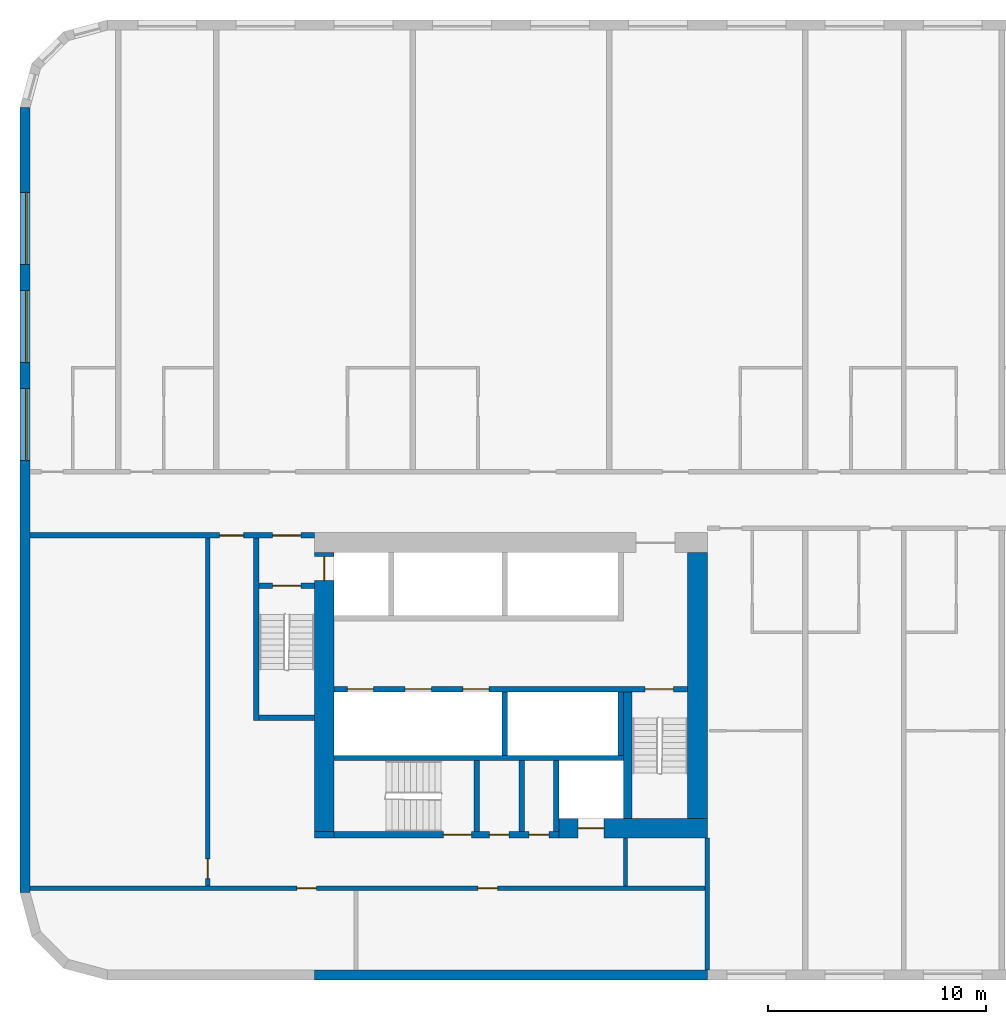
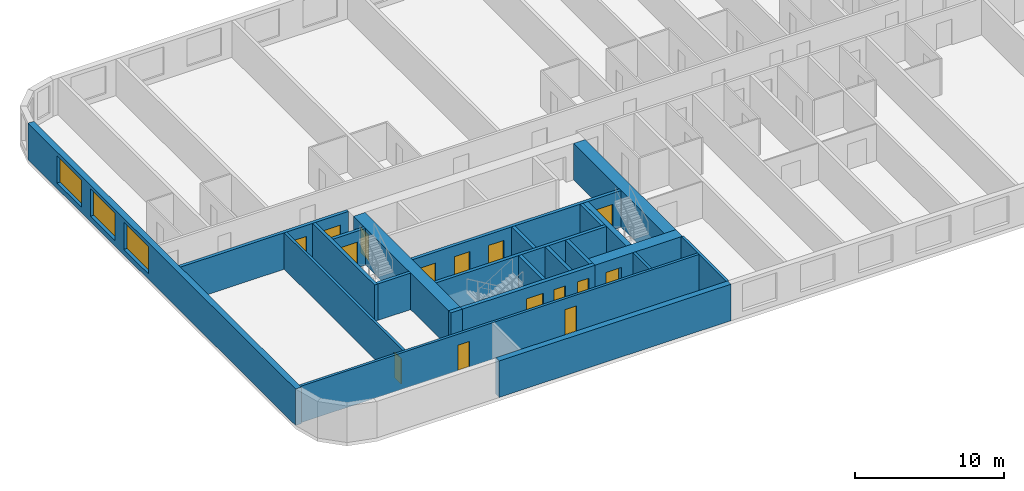
# One storey, part 2 of 12: 23 walls, 15 doors, 3 windows, 18 openings.
"""IFC4 building model written with IfcOpenShell, lengths in metres."""

from ifc_helpers import new_model, si_unit, direction, frame, frame_2d, origin, place, context, subcontext, project, spatial, rectangle, extrude, material, layer, layer_set, type_object, element, fill, save


model = new_model("IFC4")

# Units and contexts
model_context = context("Model", 3, precision=1e-05, world=origin(), true_north=direction((0.0, 1.0)))
body_context = subcontext(model_context, "Body", "Model", "MODEL_VIEW")
ifc_project = project(units=[si_unit("LENGTHUNIT", "METRE"), si_unit("AREAUNIT", "SQUARE_METRE"), si_unit("VOLUMEUNIT", "CUBIC_METRE"), si_unit("PLANEANGLEUNIT", "RADIAN"), si_unit("MASSUNIT", "GRAM", prefix="KILO")], contexts=[model_context])

# Site, building, storey
site_placement = place(None, origin())
site = spatial("IfcSite", under=ifc_project, at=site_placement, CompositionType="ELEMENT")
building_placement = place(site_placement, origin())
building = spatial("IfcBuilding", under=site, at=building_placement, Name="Kajstack Hotel Tower", CompositionType="ELEMENT")
storey_placement = place(building_placement, frame((0.0, 0.0, 96.300048828125)))
storey = spatial("IfcBuildingStorey", under=building, at=storey_placement, Name="L20", CompositionType="ELEMENT", Elevation=96.300048828125)

# Wall, opening, door
ifc_material_1 = material(Name="Concrete C60/75", Category="concrete")
ifc_layer_1 = layer(ifc_material_1, 0.89990234375)
ifc_layer_set_1 = layer_set([ifc_layer_1], Name="Core wall 900")
wall_type_1 = type_object("IfcWallType", Name="Core wall 900", PredefinedType="SHEAR", material=ifc_layer_set_1)
wall_1_placement = place(storey_placement, frame((-20.300048828125, -15.050048828125, 0.0), z_axis=(0.0, 0.0, 1.0), x_axis=(1.0, 0.0, 0.0)))
wall_1 = element("IfcWall", 1, at=wall_1_placement, inside=storey, type_object=wall_type_1, Name="Core wall W RS", PredefinedType="SHEAR", context=body_context, shape_type="SweptSolid", body=[
    extrude(rectangle(XDim=6.800048828125, YDim=0.89990234375, at=frame_2d((3.39990234375, 0.0))), origin(), (0.0, 0.0, 1.0), 3.0),
])
opening_1_placement = place(wall_1_placement, frame((0.875, 0.0, 0.0)))
opening_1 = element("IfcOpeningElement", 2, at=opening_1_placement, cuts=wall_1, Name="Opening LD-SV1", PredefinedType="OPENING", context=body_context, shape_type="SweptSolid", body=[
    extrude(rectangle(XDim=1.199951171875, YDim=2.10009765625, at=frame_2d((0.60009765625, 1.050048828125))), frame((0.0, 0.4599609375, 0.0), z_axis=(0.0, -1.0, 0.0), x_axis=(1.0, 0.0, 0.0)), (0.0, 0.0, 1.0), 0.919921875),
])
ifc_material_2 = material(Name="Stainless steel", Category="steel")
door_type_1 = type_object("IfcDoorType", Name="Lift landing door 1200", OperationType="SLIDING_TO_LEFT", PredefinedType="DOOR", material=ifc_material_2)
door_1_placement = place(opening_1_placement, origin())
door_1 = element("IfcDoor", 3, at=door_1_placement, inside=storey, type_object=door_type_1, Name="Landing door SV1", OperationType="SLIDING_TO_LEFT", OverallHeight=2.10009765625, OverallWidth=1.199951171875, PredefinedType="DOOR", context=body_context, shape_type="SweptSolid", body=[
    extrude(rectangle(XDim=1.199951171875, YDim=2.10009765625, at=frame_2d((0.60009765625, 1.050048828125))), frame((0.0, 0.02490234375, 0.0), z_axis=(0.0, -1.0, 0.0), x_axis=(1.0, 0.0, 0.0)), (0.0, 0.0, 1.0), 0.050048828125),
])
fill(opening_1, door_1)

# Wall
wall_2_placement = place(storey_placement, frame((-31.5, -15.35009765625, 0.0), z_axis=(0.0, 0.0, 1.0), x_axis=(1.0, 0.0, 0.0)))
element("IfcWall", 4, at=wall_2_placement, inside=storey, type_object=wall_type_1, Name="Core wall W RSW", PredefinedType="SHEAR", context=body_context, shape_type="SweptSolid", body=[
    extrude(rectangle(XDim=0.89990234375, YDim=0.300048828125, at=frame_2d((0.449951171875, 0.0))), origin(), (0.0, 0.0, 1.0), 3.0),
])

# Wall, opening, door
wall_3_placement = place(storey_placement, frame((-31.050048828125, -15.199951171875, 0.0), z_axis=(0.0, 0.0, 1.0), x_axis=(0.0, 1.0, 0.0)))
wall_3 = element("IfcWall", 5, at=wall_3_placement, inside=storey, type_object=wall_type_1, Name="Core wall W RW", PredefinedType="SHEAR", context=body_context, shape_type="SweptSolid", body=[
    extrude(rectangle(XDim=12.800048828125, YDim=0.89990234375, at=frame_2d((6.39990234375, 0.0))), origin(), (0.0, 0.0, 1.0), 3.0),
])
opening_2_placement = place(wall_3_placement, frame((11.5, 0.0, 0.0)))
opening_2 = element("IfcOpeningElement", 6, at=opening_2_placement, cuts=wall_3, Name="Opening LD-FF1", PredefinedType="OPENING", context=body_context, shape_type="SweptSolid", body=[
    extrude(rectangle(XDim=1.10009765625, YDim=2.10009765625, at=frame_2d((0.550048828125, 1.050048828125))), frame((0.0, 0.4599609375, 0.0), z_axis=(0.0, -1.0, 0.0), x_axis=(1.0, 0.0, 0.0)), (0.0, 0.0, 1.0), 0.919921875),
])
door_type_2 = type_object("IfcDoorType", Name="Fire-fighting lift landing door 1100", OperationType="SLIDING_TO_LEFT", PredefinedType="DOOR", material=ifc_material_2)
door_2_placement = place(opening_2_placement, origin())
door_2 = element("IfcDoor", 7, at=door_2_placement, inside=storey, type_object=door_type_2, Name="Landing door FF1", OperationType="SLIDING_TO_RIGHT", OverallHeight=2.10009765625, OverallWidth=1.10009765625, PredefinedType="DOOR", context=body_context, shape_type="SweptSolid", body=[
    extrude(rectangle(XDim=1.10009765625, YDim=2.10009765625, at=frame_2d((0.550048828125, 1.050048828125))), frame((0.0, 0.02490234375, 0.0), z_axis=(0.0, -1.0, 0.0), x_axis=(1.0, 0.0, 0.0)), (0.0, 0.0, 1.0), 0.050048828125),
])
fill(opening_2, door_2)

# Walls
wall_4_placement = place(storey_placement, frame((-13.949951171875, -14.60009765625, 0.0), z_axis=(0.0, 0.0, 1.0), x_axis=(0.0, 1.0, 0.0)))
element("IfcWall", 8, at=wall_4_placement, inside=storey, type_object=wall_type_1, Name="Core wall W RE", PredefinedType="SHEAR", context=body_context, shape_type="SweptSolid", body=[
    extrude(rectangle(XDim=12.2001953125, YDim=0.89990234375, at=frame_2d((6.10009765625, 0.0))), origin(), (0.0, 0.0, 1.0), 3.0),
])
ifc_material_3 = material(Name="Twin-frame gypsum board on steel studs, mineral wool", Category="steel")
ifc_layer_2 = layer(ifc_material_3, 0.199951171875)
ifc_layer_set_2 = layer_set([ifc_layer_2], Name="Demising wall 200")
wall_type_2 = type_object("IfcWallType", Name="Demising wall 200", PredefinedType="PARTITIONING", material=ifc_layer_set_2)
wall_5_placement = place(storey_placement, frame((-13.5, -21.550048828125, 0.0), z_axis=(0.0, 0.0, 1.0), x_axis=(0.0, 1.0, 0.0)))
element("IfcWall", 9, at=wall_5_placement, inside=storey, type_object=wall_type_2, Name="G-wall-L20-002", PredefinedType="PARTITIONING", context=body_context, shape_type="SweptSolid", body=[
    extrude(rectangle(XDim=6.050048828125, YDim=0.199951171875, at=frame_2d((3.02490234375, 0.0))), origin(), (0.0, 0.0, 1.0), 3.0),
])
ifc_material_4 = material(Name="Concrete C40/50", Category="concrete")
ifc_layer_3 = layer(ifc_material_4, 0.449951171875)
ifc_layer_set_3 = layer_set([ifc_layer_3], Name="EW-CORE")
wall_type_3 = type_object("IfcWallType", Name="EW-CORE", PredefinedType="SOLIDWALL", material=ifc_layer_set_3)
wall_6_placement = place(storey_placement, frame((-31.5, -21.77490234375, 0.0), z_axis=(0.0, 0.0, 1.0), x_axis=(1.0, 0.0, 0.0)))
element("IfcWall", 10, at=wall_6_placement, inside=storey, type_object=wall_type_3, Name="E-wall-L20-03-01", PredefinedType="SOLIDWALL", context=body_context, shape_type="SweptSolid", body=[
    extrude(rectangle(XDim=18.0, YDim=0.449951171875, at=frame_2d((9.0, 0.0))), origin(), (0.0, 0.0, 1.0), 3.0),
])

# Wall, openings, windows
ifc_material_5 = material(Name="Terracotta-faced brick masonry", Category="masonry")
ifc_layer_4 = layer(ifc_material_5, 0.449951171875)
ifc_layer_set_4 = layer_set([ifc_layer_4], Name="EW-TERRA")
wall_type_4 = type_object("IfcWallType", Name="EW-TERRA", PredefinedType="SOLIDWALL", material=ifc_layer_set_4)
wall_7_placement = place(storey_placement, frame((-44.77490234375, 18.0, 0.0), z_axis=(0.0, 0.0, 1.0), x_axis=(0.0, -1.0, 0.0)))
wall_7 = element("IfcWall", 11, at=wall_7_placement, inside=storey, type_object=wall_type_4, Name="E-wall-L20-15-00", PredefinedType="SOLIDWALL", context=body_context, shape_type="SweptSolid", body=[
    extrude(rectangle(XDim=36.0, YDim=0.449951171875, at=frame_2d((18.0, 0.0))), origin(), (0.0, 0.0, 1.0), 3.0),
])
opening_3_placement = place(wall_7_placement, frame((3.89990234375, 0.0, 0.449951171875)))
opening_3 = element("IfcOpeningElement", 12, at=opening_3_placement, cuts=wall_7, Name="Opening W2", PredefinedType="OPENING", context=body_context, shape_type="SweptSolid", body=[
    extrude(rectangle(XDim=3.300048828125, YDim=2.25, at=frame_2d((1.64990234375, 1.125))), frame((0.0, 0.23486328125, 0.0), z_axis=(0.0, -1.0, 0.0), x_axis=(1.0, 0.0, 0.0)), (0.0, 0.0, 1.0), 0.469970703125),
])
opening_4_placement = place(wall_7_placement, frame((8.39990234375, 0.0, 0.449951171875)))
opening_4 = element("IfcOpeningElement", 13, at=opening_4_placement, cuts=wall_7, Name="Opening W2", PredefinedType="OPENING", context=body_context, shape_type="SweptSolid", body=[
    extrude(rectangle(XDim=3.300048828125, YDim=2.25, at=frame_2d((1.64990234375, 1.125))), frame((0.0, 0.23486328125, 0.0), z_axis=(0.0, -1.0, 0.0), x_axis=(1.0, 0.0, 0.0)), (0.0, 0.0, 1.0), 0.469970703125),
])
opening_5_placement = place(wall_7_placement, frame((12.89990234375, 0.0, 0.449951171875)))
opening_5 = element("IfcOpeningElement", 14, at=opening_5_placement, cuts=wall_7, Name="Opening W2", PredefinedType="OPENING", context=body_context, shape_type="SweptSolid", body=[
    extrude(rectangle(XDim=3.300048828125, YDim=2.25, at=frame_2d((1.64990234375, 1.125))), frame((0.0, 0.23486328125, 0.0), z_axis=(0.0, -1.0, 0.0), x_axis=(1.0, 0.0, 0.0)), (0.0, 0.0, 1.0), 0.469970703125),
])
ifc_material_6 = material(Name="Timber-aluminium window, triple glazed", Category="wood")
window_type = type_object("IfcWindowType", Name="WG2", PartitioningType="SINGLE_PANEL", PredefinedType="WINDOW", material=ifc_material_6)
window_1_placement = place(opening_3_placement, origin())
window_1 = element("IfcWindow", 15, at=window_1_placement, inside=storey, type_object=window_type, Name="Window W2 L20-15", OverallHeight=2.25, OverallWidth=3.300048828125, PartitioningType="SINGLE_PANEL", PredefinedType="WINDOW", context=body_context, shape_type="SweptSolid", body=[
    extrude(rectangle(XDim=3.300048828125, YDim=2.25, at=frame_2d((1.64990234375, 1.125))), frame((0.0, 0.090087890625, 0.0), z_axis=(0.0, -1.0, 0.0), x_axis=(1.0, 0.0, 0.0)), (0.0, 0.0, 1.0), 0.06005859375),
])
fill(opening_3, window_1)
window_2_placement = place(opening_4_placement, origin())
window_2 = element("IfcWindow", 16, at=window_2_placement, inside=storey, type_object=window_type, Name="Window W2 L20-15", OverallHeight=2.25, OverallWidth=3.300048828125, PartitioningType="SINGLE_PANEL", PredefinedType="WINDOW", context=body_context, shape_type="SweptSolid", body=[
    extrude(rectangle(XDim=3.300048828125, YDim=2.25, at=frame_2d((1.64990234375, 1.125))), frame((0.0, 0.090087890625, 0.0), z_axis=(0.0, -1.0, 0.0), x_axis=(1.0, 0.0, 0.0)), (0.0, 0.0, 1.0), 0.06005859375),
])
fill(opening_4, window_2)
window_3_placement = place(opening_5_placement, origin())
window_3 = element("IfcWindow", 17, at=window_3_placement, inside=storey, type_object=window_type, Name="Window W2 L20-15", OverallHeight=2.25, OverallWidth=3.300048828125, PartitioningType="SINGLE_PANEL", PredefinedType="WINDOW", context=body_context, shape_type="SweptSolid", body=[
    extrude(rectangle(XDim=3.300048828125, YDim=2.25, at=frame_2d((1.64990234375, 1.125))), frame((0.0, 0.090087890625, 0.0), z_axis=(0.0, -1.0, 0.0), x_axis=(1.0, 0.0, 0.0)), (0.0, 0.0, 1.0), 0.06005859375),
])
fill(opening_5, window_3)

# Walls
ifc_material_7 = material(Name="Concrete C50/60", Category="concrete")
ifc_layer_5 = layer(ifc_material_7, 0.300048828125)
ifc_layer_set_5 = layer_set([ifc_layer_5], Name="Hoistway divider wall 300")
wall_type_5 = type_object("IfcWallType", Name="Hoistway divider wall 300", PredefinedType="SHEAR", material=ifc_layer_set_5)
wall_8_placement = place(storey_placement, frame((-22.77490234375, -11.699951171875, 0.0), z_axis=(0.0, 0.0, 1.0), x_axis=(0.0, 1.0, 0.0)))
element("IfcWall", 18, at=wall_8_placement, inside=storey, type_object=wall_type_5, Name="Core wall W BP2", PredefinedType="SHEAR", context=body_context, shape_type="SweptSolid", body=[
    extrude(rectangle(XDim=2.89990234375, YDim=0.25, at=frame_2d((1.449951171875, 0.0))), origin(), (0.0, 0.0, 1.0), 3.0),
])
ifc_material_8 = material(Name="Concrete block masonry", Category="masonry")
ifc_layer_6 = layer(ifc_material_8, 0.25)
ifc_layer_set_6 = layer_set([ifc_layer_6], Name="Riser partition 250")
wall_type_6 = type_object("IfcWallType", Name="Riser partition 250", PredefinedType="PARTITIONING", material=ifc_layer_set_6)
wall_9_placement = place(storey_placement, frame((-22.0, -15.199951171875, 0.0), z_axis=(0.0, 0.0, 1.0), x_axis=(0.0, 1.0, 0.0)))
element("IfcWall", 19, at=wall_9_placement, inside=storey, type_object=wall_type_6, Name="Partition W SZ0", PredefinedType="PARTITIONING", context=body_context, shape_type="SweptSolid", body=[
    extrude(rectangle(XDim=3.25, YDim=0.25, at=frame_2d((1.625, 0.0))), origin(), (0.0, 0.0, 1.0), 3.0),
])

# Wall, openings, doors
ifc_material_9 = material(Name="Gypsum board on steel studs, mineral wool", Category="steel")
ifc_layer_7 = layer(ifc_material_9, 0.199951171875)
ifc_layer_set_7 = layer_set([ifc_layer_7], Name="Service partition 200")
wall_type_7 = type_object("IfcWallType", Name="Service partition 200", PredefinedType="PARTITIONING", material=ifc_layer_set_7)
wall_10_placement = place(storey_placement, frame((-44.550048828125, -1.625, 0.0), z_axis=(0.0, 0.0, 1.0), x_axis=(1.0, 0.0, 0.0)))
wall_10 = element("IfcWall", 20, at=wall_10_placement, inside=storey, type_object=wall_type_7, Name="Partition W SN", PredefinedType="PARTITIONING", context=body_context, shape_type="SweptSolid", body=[
    extrude(rectangle(XDim=13.050048828125, YDim=0.25, at=frame_2d((6.52490234375, 0.0))), origin(), (0.0, 0.0, 1.0), 3.0),
])
opening_6_placement = place(wall_10_placement, frame((11.125, 0.0, 0.0)))
opening_6 = element("IfcOpeningElement", 21, at=opening_6_placement, cuts=wall_10, Name="Opening 20W07", PredefinedType="OPENING", context=body_context, shape_type="SweptSolid", body=[
    extrude(rectangle(XDim=1.300048828125, YDim=2.10009765625, at=frame_2d((0.64990234375, 1.050048828125))), frame((0.0, 0.135009765625, 0.0), z_axis=(0.0, -1.0, 0.0), x_axis=(1.0, 0.0, 0.0)), (0.0, 0.0, 1.0), 0.27001953125),
])
opening_7_placement = place(wall_10_placement, frame((8.699951171875, 0.0, 0.0)))
opening_7 = element("IfcOpeningElement", 22, at=opening_7_placement, cuts=wall_10, Name="Opening 20W09", PredefinedType="OPENING", context=body_context, shape_type="SweptSolid", body=[
    extrude(rectangle(XDim=1.10009765625, YDim=2.10009765625, at=frame_2d((0.550048828125, 1.050048828125))), frame((0.0, 0.135009765625, 0.0), z_axis=(0.0, -1.0, 0.0), x_axis=(1.0, 0.0, 0.0)), (0.0, 0.0, 1.0), 0.27001953125),
])
ifc_material_10 = material(Name="Steel leaf, fire-rated", Category="steel")
door_type_3 = type_object("IfcDoorType", Name="Fire lobby door 1300", OperationType="SINGLE_SWING_LEFT", PredefinedType="DOOR", material=ifc_material_10)
door_3_placement = place(opening_6_placement, origin())
door_3 = element("IfcDoor", 23, at=door_3_placement, inside=storey, type_object=door_type_3, Name="Door 20W07", OperationType="SINGLE_SWING_RIGHT", OverallHeight=2.10009765625, OverallWidth=1.300048828125, PredefinedType="DOOR", context=body_context, shape_type="SweptSolid", body=[
    extrude(rectangle(XDim=1.300048828125, YDim=2.10009765625, at=frame_2d((0.64990234375, 1.050048828125))), frame((0.0, 0.02490234375, 0.0), z_axis=(0.0, -1.0, 0.0), x_axis=(1.0, 0.0, 0.0)), (0.0, 0.0, 1.0), 0.050048828125),
])
fill(opening_6, door_3)
ifc_material_11 = material(Name="Timber leaf, fire-rated", Category="wood")
door_type_4 = type_object("IfcDoorType", Name="Service corridor door 1100", OperationType="SINGLE_SWING_LEFT", PredefinedType="DOOR", material=ifc_material_11)
door_4_placement = place(opening_7_placement, origin())
door_4 = element("IfcDoor", 24, at=door_4_placement, inside=storey, type_object=door_type_4, Name="Door 20W09", OperationType="SINGLE_SWING_RIGHT", OverallHeight=2.10009765625, OverallWidth=1.10009765625, PredefinedType="DOOR", context=body_context, shape_type="SweptSolid", body=[
    extrude(rectangle(XDim=1.10009765625, YDim=2.10009765625, at=frame_2d((0.550048828125, 1.050048828125))), frame((0.0, 0.02490234375, 0.0), z_axis=(0.0, -1.0, 0.0), x_axis=(1.0, 0.0, 0.0)), (0.0, 0.0, 1.0), 0.050048828125),
])
fill(opening_7, door_4)

# Wall
wall_11_placement = place(storey_placement, frame((-17.25, -17.699951171875, 0.0), z_axis=(0.0, 0.0, 1.0), x_axis=(0.0, 1.0, 0.0)))
element("IfcWall", 25, at=wall_11_placement, inside=storey, type_object=wall_type_7, Name="Partition W SCE", PredefinedType="PARTITIONING", context=body_context, shape_type="SweptSolid", body=[
    extrude(rectangle(XDim=2.199951171875, YDim=0.199951171875, at=frame_2d((1.10009765625, 0.0))), origin(), (0.0, 0.0, 1.0), 3.0),
])

# Wall, opening, door
wall_12_placement = place(storey_placement, frame((-36.39990234375, -17.699951171875, 0.0), z_axis=(0.0, 0.0, 1.0), x_axis=(0.0, 1.0, 0.0)))
wall_12 = element("IfcWall", 26, at=wall_12_placement, inside=storey, type_object=wall_type_7, Name="Partition W WRE", PredefinedType="PARTITIONING", context=body_context, shape_type="SweptSolid", body=[
    extrude(rectangle(XDim=15.949951171875, YDim=0.199951171875, at=frame_2d((7.97509765625, 0.0))), origin(), (0.0, 0.0, 1.0), 3.0),
])
opening_8_placement = place(wall_12_placement, frame((0.35009765625, 0.0, 0.0)))
opening_8 = element("IfcOpeningElement", 27, at=opening_8_placement, cuts=wall_12, Name="Opening 20W16", PredefinedType="OPENING", context=body_context, shape_type="SweptSolid", body=[
    extrude(rectangle(XDim=0.89990234375, YDim=2.10009765625, at=frame_2d((0.449951171875, 1.050048828125))), frame((0.0, 0.10986328125, 0.0), z_axis=(0.0, -1.0, 0.0), x_axis=(1.0, 0.0, 0.0)), (0.0, 0.0, 1.0), 0.219970703125),
])
door_type_5 = type_object("IfcDoorType", Name="Service door 900", OperationType="SINGLE_SWING_LEFT", PredefinedType="DOOR", material=ifc_material_11)
door_5_placement = place(opening_8_placement, origin())
door_5 = element("IfcDoor", 28, at=door_5_placement, inside=storey, type_object=door_type_5, Name="Door 20W16", OperationType="SINGLE_SWING_LEFT", OverallHeight=2.10009765625, OverallWidth=0.89990234375, PredefinedType="DOOR", context=body_context, shape_type="SweptSolid", body=[
    extrude(rectangle(XDim=0.89990234375, YDim=2.10009765625, at=frame_2d((0.449951171875, 1.050048828125))), frame((0.0, 0.02490234375, 0.0), z_axis=(0.0, -1.0, 0.0), x_axis=(1.0, 0.0, 0.0)), (0.0, 0.0, 1.0), 0.050048828125),
])
fill(opening_8, door_5)

# Wall, openings, doors
wall_13_placement = place(storey_placement, frame((-44.550048828125, -17.800048828125, 0.0), z_axis=(0.0, 0.0, 1.0), x_axis=(1.0, 0.0, 0.0)))
wall_13 = element("IfcWall", 29, at=wall_13_placement, inside=storey, type_object=wall_type_7, Name="Partition W SLN", PredefinedType="PARTITIONING", context=body_context, shape_type="SweptSolid", body=[
    extrude(rectangle(XDim=30.949951171875, YDim=0.199951171875, at=frame_2d((15.47509765625, 0.0))), origin(), (0.0, 0.0, 1.0), 3.0),
])
opening_9_placement = place(wall_13_placement, frame((12.237548828125, 0.0, 0.0)))
opening_9 = element("IfcOpeningElement", 30, at=opening_9_placement, cuts=wall_13, Name="Opening 20W14", PredefinedType="OPENING", context=body_context, shape_type="SweptSolid", body=[
    extrude(rectangle(XDim=0.89990234375, YDim=2.10009765625, at=frame_2d((0.449951171875, 1.050048828125))), frame((0.0, 0.10986328125, 0.0), z_axis=(0.0, -1.0, 0.0), x_axis=(1.0, 0.0, 0.0)), (0.0, 0.0, 1.0), 0.219970703125),
])
opening_10_placement = place(wall_13_placement, frame((20.53759765625, 0.0, 0.0)))
opening_10 = element("IfcOpeningElement", 31, at=opening_10_placement, cuts=wall_13, Name="Opening 20W15", PredefinedType="OPENING", context=body_context, shape_type="SweptSolid", body=[
    extrude(rectangle(XDim=0.89990234375, YDim=2.10009765625, at=frame_2d((0.449951171875, 1.050048828125))), frame((0.0, 0.10986328125, 0.0), z_axis=(0.0, -1.0, 0.0), x_axis=(1.0, 0.0, 0.0)), (0.0, 0.0, 1.0), 0.219970703125),
])
door_6_placement = place(opening_9_placement, origin())
door_6 = element("IfcDoor", 32, at=door_6_placement, inside=storey, type_object=door_type_5, Name="Door 20W14", OperationType="SINGLE_SWING_RIGHT", OverallHeight=2.10009765625, OverallWidth=0.89990234375, PredefinedType="DOOR", context=body_context, shape_type="SweptSolid", body=[
    extrude(rectangle(XDim=0.89990234375, YDim=2.10009765625, at=frame_2d((0.449951171875, 1.050048828125))), frame((0.0, 0.02490234375, 0.0), z_axis=(0.0, -1.0, 0.0), x_axis=(1.0, 0.0, 0.0)), (0.0, 0.0, 1.0), 0.050048828125),
])
fill(opening_9, door_6)
door_7_placement = place(opening_10_placement, origin())
door_7 = element("IfcDoor", 33, at=door_7_placement, inside=storey, type_object=door_type_5, Name="Door 20W15", OperationType="SINGLE_SWING_RIGHT", OverallHeight=2.10009765625, OverallWidth=0.89990234375, PredefinedType="DOOR", context=body_context, shape_type="SweptSolid", body=[
    extrude(rectangle(XDim=0.89990234375, YDim=2.10009765625, at=frame_2d((0.449951171875, 1.050048828125))), frame((0.0, 0.02490234375, 0.0), z_axis=(0.0, -1.0, 0.0), x_axis=(1.0, 0.0, 0.0)), (0.0, 0.0, 1.0), 0.050048828125),
])
fill(opening_10, door_7)

ifc_layer_8 = layer(ifc_material_7, 0.25)
ifc_layer_set_8 = layer_set([ifc_layer_8], Name="Shaft wall 250")
wall_type_8 = type_object("IfcWallType", Name="Shaft wall 250", PredefinedType="SHEAR", material=ifc_layer_set_8)
wall_14_placement = place(storey_placement, frame((-30.60009765625, -15.35009765625, 0.0), z_axis=(0.0, 0.0, 1.0), x_axis=(1.0, 0.0, 0.0)))
wall_14 = element("IfcWall", 34, at=wall_14_placement, inside=storey, type_object=wall_type_8, Name="Core wall W RSS", PredefinedType="SHEAR", context=body_context, shape_type="SweptSolid", body=[
    extrude(rectangle(XDim=10.300048828125, YDim=0.300048828125, at=frame_2d((5.14990234375, 0.0))), origin(), (0.0, 0.0, 1.0), 3.0),
])
opening_11_placement = place(wall_14_placement, frame((5.0, 0.0, 0.0)))
opening_11 = element("IfcOpeningElement", 35, at=opening_11_placement, cuts=wall_14, Name="Opening 20W11", PredefinedType="OPENING", context=body_context, shape_type="SweptSolid", body=[
    extrude(rectangle(XDim=1.300048828125, YDim=2.10009765625, at=frame_2d((0.64990234375, 1.050048828125))), frame((0.0, 0.159912109375, 0.0), z_axis=(0.0, -1.0, 0.0), x_axis=(1.0, 0.0, 0.0)), (0.0, 0.0, 1.0), 0.320068359375),
])
opening_12_placement = place(wall_14_placement, frame((7.112548828125, 0.0, 0.0)))
opening_12 = element("IfcOpeningElement", 36, at=opening_12_placement, cuts=wall_14, Name="Opening 20W12", PredefinedType="OPENING", context=body_context, shape_type="SweptSolid", body=[
    extrude(rectangle(XDim=0.89990234375, YDim=2.10009765625, at=frame_2d((0.449951171875, 1.050048828125))), frame((0.0, 0.159912109375, 0.0), z_axis=(0.0, -1.0, 0.0), x_axis=(1.0, 0.0, 0.0)), (0.0, 0.0, 1.0), 0.320068359375),
])
opening_13_placement = place(wall_14_placement, frame((8.9375, 0.0, 0.0)))
opening_13 = element("IfcOpeningElement", 37, at=opening_13_placement, cuts=wall_14, Name="Opening 20W13", PredefinedType="OPENING", context=body_context, shape_type="SweptSolid", body=[
    extrude(rectangle(XDim=0.89990234375, YDim=2.10009765625, at=frame_2d((0.449951171875, 1.050048828125))), frame((0.0, 0.159912109375, 0.0), z_axis=(0.0, -1.0, 0.0), x_axis=(1.0, 0.0, 0.0)), (0.0, 0.0, 1.0), 0.320068359375),
])
door_8_placement = place(opening_12_placement, origin())
door_8 = element("IfcDoor", 38, at=door_8_placement, inside=storey, type_object=door_type_5, Name="Door 20W12", OperationType="SINGLE_SWING_LEFT", OverallHeight=2.10009765625, OverallWidth=0.89990234375, PredefinedType="DOOR", context=body_context, shape_type="SweptSolid", body=[
    extrude(rectangle(XDim=0.89990234375, YDim=2.10009765625, at=frame_2d((0.449951171875, 1.050048828125))), frame((0.0, 0.02490234375, 0.0), z_axis=(0.0, -1.0, 0.0), x_axis=(1.0, 0.0, 0.0)), (0.0, 0.0, 1.0), 0.050048828125),
])
fill(opening_12, door_8)
door_9_placement = place(opening_13_placement, origin())
door_9 = element("IfcDoor", 39, at=door_9_placement, inside=storey, type_object=door_type_5, Name="Door 20W13", OperationType="SINGLE_SWING_LEFT", OverallHeight=2.10009765625, OverallWidth=0.89990234375, PredefinedType="DOOR", context=body_context, shape_type="SweptSolid", body=[
    extrude(rectangle(XDim=0.89990234375, YDim=2.10009765625, at=frame_2d((0.449951171875, 1.050048828125))), frame((0.0, 0.02490234375, 0.0), z_axis=(0.0, -1.0, 0.0), x_axis=(1.0, 0.0, 0.0)), (0.0, 0.0, 1.0), 0.050048828125),
])
fill(opening_13, door_9)
door_type_6 = type_object("IfcDoorType", Name="Stair door 1300", OperationType="SINGLE_SWING_LEFT", PredefinedType="DOOR", material=ifc_material_10)
door_10_placement = place(opening_11_placement, origin())
door_10 = element("IfcDoor", 40, at=door_10_placement, inside=storey, type_object=door_type_6, Name="Door 20W11", OperationType="SINGLE_SWING_RIGHT", OverallHeight=2.10009765625, OverallWidth=1.300048828125, PredefinedType="DOOR", context=body_context, shape_type="SweptSolid", body=[
    extrude(rectangle(XDim=1.300048828125, YDim=2.10009765625, at=frame_2d((0.64990234375, 1.050048828125))), frame((0.0, 0.02490234375, 0.0), z_axis=(0.0, -1.0, 0.0), x_axis=(1.0, 0.0, 0.0)), (0.0, 0.0, 1.0), 0.050048828125),
])
fill(opening_11, door_10)

wall_15_placement = place(storey_placement, frame((-30.60009765625, -8.675048828125, 0.0), z_axis=(0.0, 0.0, 1.0), x_axis=(1.0, 0.0, 0.0)))
wall_15 = element("IfcWall", 41, at=wall_15_placement, inside=storey, type_object=wall_type_8, Name="Core wall W FB", PredefinedType="SHEAR", context=body_context, shape_type="SweptSolid", body=[
    extrude(rectangle(XDim=16.2001953125, YDim=0.25, at=frame_2d((8.10009765625, 0.0))), origin(), (0.0, 0.0, 1.0), 3.0),
])
opening_14_placement = place(wall_15_placement, frame((0.60009765625, 0.0, 0.0)))
opening_14 = element("IfcOpeningElement", 42, at=opening_14_placement, cuts=wall_15, Name="Opening LD-LR1", PredefinedType="OPENING", context=body_context, shape_type="SweptSolid", body=[
    extrude(rectangle(XDim=1.199951171875, YDim=2.10009765625, at=frame_2d((0.60009765625, 1.050048828125))), frame((0.0, 0.135009765625, 0.0), z_axis=(0.0, -1.0, 0.0), x_axis=(1.0, 0.0, 0.0)), (0.0, 0.0, 1.0), 0.27001953125),
])
opening_15_placement = place(wall_15_placement, frame((3.25, 0.0, 0.0)))
opening_15 = element("IfcOpeningElement", 43, at=opening_15_placement, cuts=wall_15, Name="Opening LD-LR2", PredefinedType="OPENING", context=body_context, shape_type="SweptSolid", body=[
    extrude(rectangle(XDim=1.199951171875, YDim=2.10009765625, at=frame_2d((0.60009765625, 1.050048828125))), frame((0.0, 0.135009765625, 0.0), z_axis=(0.0, -1.0, 0.0), x_axis=(1.0, 0.0, 0.0)), (0.0, 0.0, 1.0), 0.27001953125),
])
opening_16_placement = place(wall_15_placement, frame((5.89990234375, 0.0, 0.0)))
opening_16 = element("IfcOpeningElement", 44, at=opening_16_placement, cuts=wall_15, Name="Opening LD-LR3", PredefinedType="OPENING", context=body_context, shape_type="SweptSolid", body=[
    extrude(rectangle(XDim=1.199951171875, YDim=2.10009765625, at=frame_2d((0.60009765625, 1.050048828125))), frame((0.0, 0.135009765625, 0.0), z_axis=(0.0, -1.0, 0.0), x_axis=(1.0, 0.0, 0.0)), (0.0, 0.0, 1.0), 0.27001953125),
])
opening_17_placement = place(wall_15_placement, frame((14.25, 0.0, 0.0)))
opening_17 = element("IfcOpeningElement", 45, at=opening_17_placement, cuts=wall_15, Name="Opening 20W10", PredefinedType="OPENING", context=body_context, shape_type="SweptSolid", body=[
    extrude(rectangle(XDim=1.300048828125, YDim=2.10009765625, at=frame_2d((0.64990234375, 1.050048828125))), frame((0.0, 0.135009765625, 0.0), z_axis=(0.0, -1.0, 0.0), x_axis=(1.0, 0.0, 0.0)), (0.0, 0.0, 1.0), 0.27001953125),
])
door_11_placement = place(opening_14_placement, origin())
door_11 = element("IfcDoor", 46, at=door_11_placement, inside=storey, type_object=door_type_1, Name="Landing door LR1", OperationType="SLIDING_TO_LEFT", OverallHeight=2.10009765625, OverallWidth=1.199951171875, PredefinedType="DOOR", context=body_context, shape_type="SweptSolid", body=[
    extrude(rectangle(XDim=1.199951171875, YDim=2.10009765625, at=frame_2d((0.60009765625, 1.050048828125))), frame((0.0, 0.02490234375, 0.0), z_axis=(0.0, -1.0, 0.0), x_axis=(1.0, 0.0, 0.0)), (0.0, 0.0, 1.0), 0.050048828125),
])
fill(opening_14, door_11)
door_12_placement = place(opening_15_placement, origin())
door_12 = element("IfcDoor", 47, at=door_12_placement, inside=storey, type_object=door_type_1, Name="Landing door LR2", OperationType="SLIDING_TO_RIGHT", OverallHeight=2.10009765625, OverallWidth=1.199951171875, PredefinedType="DOOR", context=body_context, shape_type="SweptSolid", body=[
    extrude(rectangle(XDim=1.199951171875, YDim=2.10009765625, at=frame_2d((0.60009765625, 1.050048828125))), frame((0.0, 0.02490234375, 0.0), z_axis=(0.0, -1.0, 0.0), x_axis=(1.0, 0.0, 0.0)), (0.0, 0.0, 1.0), 0.050048828125),
])
fill(opening_15, door_12)
door_13_placement = place(opening_16_placement, origin())
door_13 = element("IfcDoor", 48, at=door_13_placement, inside=storey, type_object=door_type_1, Name="Landing door LR3", OperationType="SLIDING_TO_RIGHT", OverallHeight=2.10009765625, OverallWidth=1.199951171875, PredefinedType="DOOR", context=body_context, shape_type="SweptSolid", body=[
    extrude(rectangle(XDim=1.199951171875, YDim=2.10009765625, at=frame_2d((0.60009765625, 1.050048828125))), frame((0.0, 0.02490234375, 0.0), z_axis=(0.0, -1.0, 0.0), x_axis=(1.0, 0.0, 0.0)), (0.0, 0.0, 1.0), 0.050048828125),
])
fill(opening_16, door_13)
door_14_placement = place(opening_17_placement, origin())
door_14 = element("IfcDoor", 49, at=door_14_placement, inside=storey, type_object=door_type_6, Name="Door 20W10", OperationType="SINGLE_SWING_RIGHT", OverallHeight=2.10009765625, OverallWidth=1.300048828125, PredefinedType="DOOR", context=body_context, shape_type="SweptSolid", body=[
    extrude(rectangle(XDim=1.300048828125, YDim=2.10009765625, at=frame_2d((0.64990234375, 1.050048828125))), frame((0.0, 0.02490234375, 0.0), z_axis=(0.0, -1.0, 0.0), x_axis=(1.0, 0.0, 0.0)), (0.0, 0.0, 1.0), 0.050048828125),
])
fill(opening_17, door_14)

# Walls
wall_16_placement = place(storey_placement, frame((-30.60009765625, -11.824951171875, 0.0), z_axis=(0.0, 0.0, 1.0), x_axis=(1.0, 0.0, 0.0)))
element("IfcWall", 50, at=wall_16_placement, inside=storey, type_object=wall_type_8, Name="Core wall W RB", PredefinedType="SHEAR", context=body_context, shape_type="SweptSolid", body=[
    extrude(rectangle(XDim=13.25, YDim=0.25, at=frame_2d((6.625, 0.0))), origin(), (0.0, 0.0, 1.0), 3.0),
])
wall_17_placement = place(storey_placement, frame((-17.47509765625, -11.699951171875, 0.0), z_axis=(0.0, 0.0, 1.0), x_axis=(0.0, 1.0, 0.0)))
element("IfcWall", 51, at=wall_17_placement, inside=storey, type_object=wall_type_8, Name="Core wall W BE", PredefinedType="SHEAR", context=body_context, shape_type="SweptSolid", body=[
    extrude(rectangle(XDim=2.89990234375, YDim=0.25, at=frame_2d((1.449951171875, 0.0))), origin(), (0.0, 0.0, 1.0), 3.0),
])
wall_18_placement = place(storey_placement, frame((-20.425048828125, -15.199951171875, 0.0), z_axis=(0.0, 0.0, 1.0), x_axis=(0.0, 1.0, 0.0)))
element("IfcWall", 52, at=wall_18_placement, inside=storey, type_object=wall_type_8, Name="Core wall W SVW", PredefinedType="SHEAR", context=body_context, shape_type="SweptSolid", body=[
    extrude(rectangle(XDim=3.25, YDim=0.25, at=frame_2d((1.625, 0.0))), origin(), (0.0, 0.0, 1.0), 3.0),
])

# Wall, opening, door
ifc_layer_9 = layer(ifc_material_4, 0.25)
ifc_layer_set_9 = layer_set([ifc_layer_9], Name="Stair enclosure wall 250")
wall_type_9 = type_object("IfcWallType", Name="Stair enclosure wall 250", PredefinedType="SHEAR", material=ifc_layer_set_9)
wall_19_placement = place(storey_placement, frame((-34.050048828125, -3.925048828125, 0.0), z_axis=(0.0, 0.0, 1.0), x_axis=(1.0, 0.0, 0.0)))
wall_19 = element("IfcWall", 53, at=wall_19_placement, inside=storey, type_object=wall_type_9, Name="Core wall W W1N", PredefinedType="SHEAR", context=body_context, shape_type="SweptSolid", body=[
    extrude(rectangle(XDim=2.550048828125, YDim=0.25, at=frame_2d((1.27490234375, 0.0))), origin(), (0.0, 0.0, 1.0), 3.0),
])
opening_18_placement = place(wall_19_placement, frame((0.625, 0.0, 0.0)))
opening_18 = element("IfcOpeningElement", 54, at=opening_18_placement, cuts=wall_19, Name="Opening 20W08", PredefinedType="OPENING", context=body_context, shape_type="SweptSolid", body=[
    extrude(rectangle(XDim=1.300048828125, YDim=2.10009765625, at=frame_2d((0.64990234375, 1.050048828125))), frame((0.0, 0.135009765625, 0.0), z_axis=(0.0, -1.0, 0.0), x_axis=(1.0, 0.0, 0.0)), (0.0, 0.0, 1.0), 0.27001953125),
])
door_15_placement = place(opening_18_placement, origin())
door_15 = element("IfcDoor", 55, at=door_15_placement, inside=storey, type_object=door_type_6, Name="Door 20W08", OperationType="SINGLE_SWING_RIGHT", OverallHeight=2.10009765625, OverallWidth=1.300048828125, PredefinedType="DOOR", context=body_context, shape_type="SweptSolid", body=[
    extrude(rectangle(XDim=1.300048828125, YDim=2.10009765625, at=frame_2d((0.64990234375, 1.050048828125))), frame((0.0, 0.02490234375, 0.0), z_axis=(0.0, -1.0, 0.0), x_axis=(1.0, 0.0, 0.0)), (0.0, 0.0, 1.0), 0.050048828125),
])
fill(opening_18, door_15)

# Walls
wall_20_placement = place(storey_placement, frame((-34.175048828125, -10.10009765625, 0.0), z_axis=(0.0, 0.0, 1.0), x_axis=(0.0, 1.0, 0.0)))
element("IfcWall", 56, at=wall_20_placement, inside=storey, type_object=wall_type_9, Name="Core wall W W1W", PredefinedType="SHEAR", context=body_context, shape_type="SweptSolid", body=[
    extrude(rectangle(XDim=8.35009765625, YDim=0.25, at=frame_2d((4.175048828125, 0.0))), origin(), (0.0, 0.0, 1.0), 3.0),
])
wall_21_placement = place(storey_placement, frame((-34.050048828125, -9.97509765625, 0.0), z_axis=(0.0, 0.0, 1.0), x_axis=(1.0, 0.0, 0.0)))
element("IfcWall", 57, at=wall_21_placement, inside=storey, type_object=wall_type_9, Name="Core wall W W1S", PredefinedType="SHEAR", context=body_context, shape_type="SweptSolid", body=[
    extrude(rectangle(XDim=2.550048828125, YDim=0.25, at=frame_2d((1.27490234375, 0.0))), origin(), (0.0, 0.0, 1.0), 3.0),
])
ifc_layer_10 = layer(ifc_material_7, 0.35009765625)
ifc_layer_set_10 = layer_set([ifc_layer_10], Name="Stair enclosure wall 350")
wall_type_10 = type_object("IfcWallType", Name="Stair enclosure wall 350", PredefinedType="SHEAR", material=ifc_layer_set_10)
wall_22_placement = place(storey_placement, frame((-24.074951171875, -15.199951171875, 0.0), z_axis=(0.0, 0.0, 1.0), x_axis=(0.0, 1.0, 0.0)))
element("IfcWall", 58, at=wall_22_placement, inside=storey, type_object=wall_type_10, Name="Core wall W W3E", PredefinedType="SHEAR", context=body_context, shape_type="SweptSolid", body=[
    extrude(rectangle(XDim=3.25, YDim=0.25, at=frame_2d((1.625, 0.0))), origin(), (0.0, 0.0, 1.0), 3.0),
])
ifc_layer_11 = layer(ifc_material_7, 0.39990234375)
ifc_layer_set_11 = layer_set([ifc_layer_11], Name="Stair wall 400")
wall_type_11 = type_object("IfcWallType", Name="Stair wall 400", PredefinedType="SHEAR", material=ifc_layer_set_11)
wall_23_placement = place(storey_placement, frame((-17.14990234375, -14.60009765625, 0.0), z_axis=(0.0, 0.0, 1.0), x_axis=(0.0, 1.0, 0.0)))
element("IfcWall", 59, at=wall_23_placement, inside=storey, type_object=wall_type_11, Name="Core wall W WW2", PredefinedType="SHEAR", context=body_context, shape_type="SweptSolid", body=[
    extrude(rectangle(XDim=5.800048828125, YDim=0.39990234375, at=frame_2d((2.89990234375, 0.0))), origin(), (0.0, 0.0, 1.0), 3.0),
])

save(model, "model.ifc")
